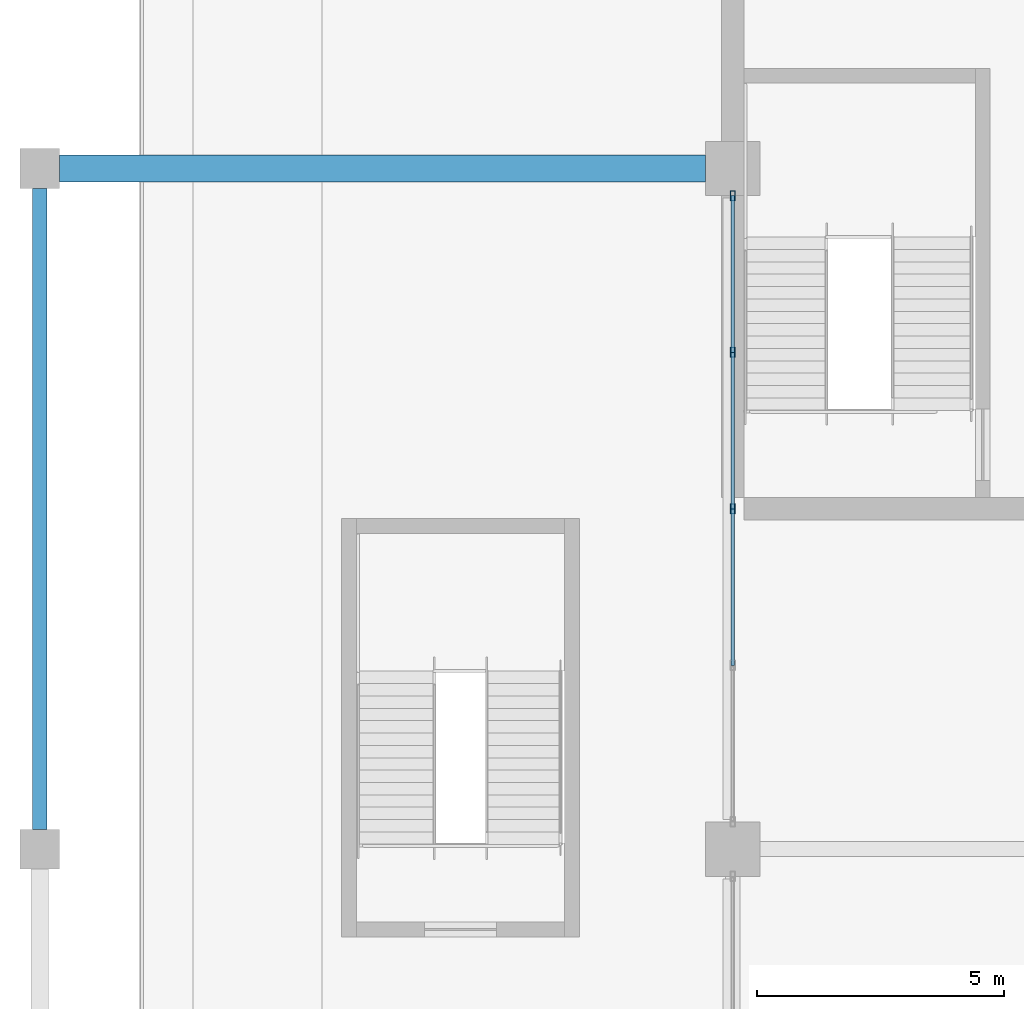
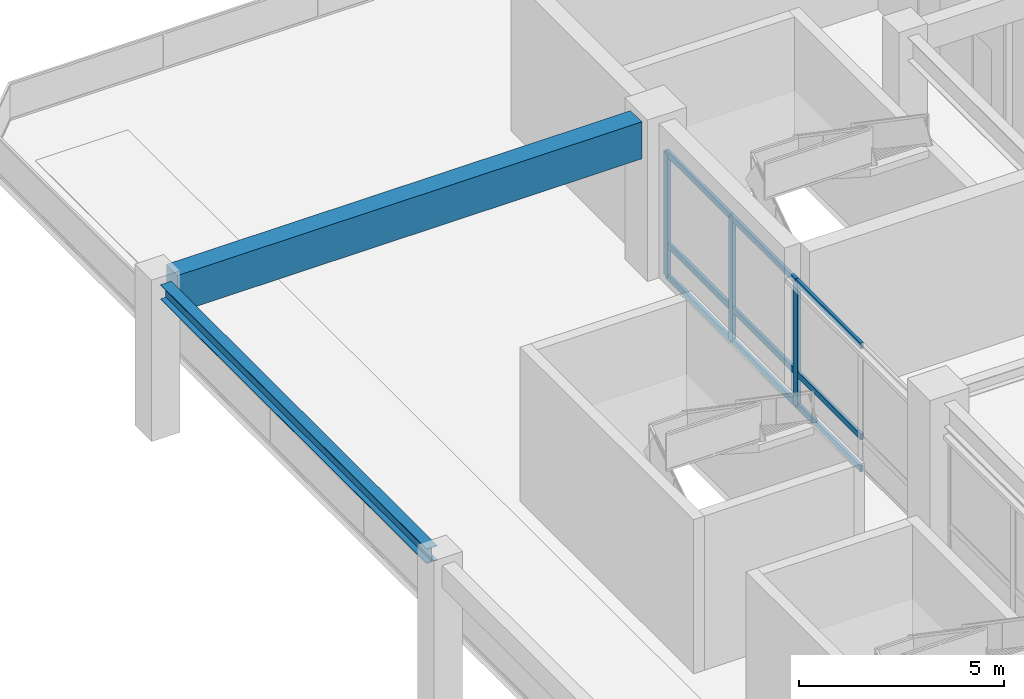
# One storey, part 41 of 91: 12 members, 2 beams, 1 element without a shape of its own.
"""IFC4 building model written with IfcOpenShell, lengths in metres."""

from ifc_helpers import new_model, si_unit, direction, frame, origin, origin_2d, place, context, subcontext, project, spatial, rectangle, hollow_rectangle, i_section, extrude, material, material_profile, profile_set, type_object, element, aggregate, save


model = new_model("IFC4")

# Units and contexts
model_context = context("Model", 3, precision=1e-05, world=origin(), true_north=direction((0.0, 1.0)))
body_context = subcontext(model_context, "Body", "Model", "MODEL_VIEW")
ifc_project = project(units=[si_unit("LENGTHUNIT", "METRE"), si_unit("AREAUNIT", "SQUARE_METRE"), si_unit("VOLUMEUNIT", "CUBIC_METRE"), si_unit("PLANEANGLEUNIT", "RADIAN"), si_unit("MASSUNIT", "GRAM", prefix="KILO")], contexts=[model_context])

# Site, building, storey
site_placement = place(None, origin())
site = spatial("IfcSite", under=ifc_project, at=site_placement, CompositionType="ELEMENT")
building_placement = place(site_placement, origin())
building = spatial("IfcBuilding", under=site, at=building_placement, Name="Linyun Crest Stadium", CompositionType="ELEMENT")
storey_placement = place(building_placement, frame((0.0, 0.0, 11.39990234375)))
storey = spatial("IfcBuildingStorey", under=building, at=storey_placement, Name="L03", CompositionType="ELEMENT", Elevation=11.39990234375)

# Beam
ifc_material_1 = material(Name="Steel Q355C", Category="steel")
ifc_material_profile_1 = material_profile(ifc_material_1, i_section(OverallWidth=0.300048828125, OverallDepth=0.43994140625, WebThickness=0.010986328125, FlangeThickness=0.01806640625, at=origin_2d()), Name="HM 440x300")
ifc_profile_set_1 = profile_set([ifc_material_profile_1], Name="Steel Q355C")
beam_type_1 = type_object("IfcBeamType", Name="B07", PredefinedType="BEAM", material=ifc_profile_set_1)
beam_1_placement = place(storey_placement, frame((-98.0, 30.02490234375, 4.360107421875), z_axis=(0.0, 1.0, 0.0), x_axis=(-1.0, 0.0, 0.0)))
element("IfcBeam", 1, at=beam_1_placement, inside=storey, type_object=beam_type_1, Name="Frame beam B07 L03 269", PredefinedType="BEAM", context=body_context, shape_type="SweptSolid", body=[
    extrude(i_section(OverallWidth=0.300048828125, OverallDepth=0.43994140625, WebThickness=0.010986328125, FlangeThickness=0.01806640625, at=origin_2d()), origin(), (0.0, 0.0, 1.0), 12.9501953125),
])

# Curtain wall, members
ifc_material_2 = material(Name="Verdigris steel and low-E curtain wall assembly", Category="steel")
curtain_wall_type = type_object("IfcCurtainWallType", Name="MCW02", PredefinedType="NOTDEFINED", material=ifc_material_2)
curtain_wall_placement = place(storey_placement, origin())
curtain_wall = element("IfcCurtainWall", 2, at=curtain_wall_placement, inside=storey, type_object=curtain_wall_type, Name="CWR-119", PredefinedType="NOTDEFINED")
ifc_material_3 = material(Name="Verdigris painted steel Q355C mullion", Category="steel")
ifc_material_profile_2 = material_profile(ifc_material_3, hollow_rectangle(XDim=0.10009765625, YDim=0.199951171875, WallThickness=0.008056640625, at=origin_2d()), Name="RHS 200x100x8")
ifc_profile_set_2 = profile_set([ifc_material_profile_2], Name="Verdigris painted steel Q355C mullion")
member_type_1 = type_object("IfcMemberType", Name="ML03", PredefinedType="MULLION", material=ifc_profile_set_2)
member_1_placement = place(storey_placement, frame((-84.0, 36.5, 0.0), z_axis=(0.0, 0.0, 1.0), x_axis=(-1.0, 0.0, 0.0)))
member_1 = element("IfcMember", 3, at=member_1_placement, type_object=member_type_1, Name="CWR-119 mullion 3", PredefinedType="MULLION", context=body_context, shape_type="SweptSolid", body=[
    extrude(hollow_rectangle(XDim=0.10009765625, YDim=0.199951171875, WallThickness=0.008056640625, at=origin_2d()), origin(), (0.0, 0.0, 1.0), 3.650146484375),
])
member_2_placement = place(storey_placement, frame((-84.0, 39.662109375, 0.0), z_axis=(0.0, 0.0, 1.0), x_axis=(-1.0, 0.0, 0.0)))
member_2 = element("IfcMember", 4, at=member_2_placement, type_object=member_type_1, Name="CWR-119 mullion 4", PredefinedType="MULLION", context=body_context, shape_type="SweptSolid", body=[
    extrude(hollow_rectangle(XDim=0.10009765625, YDim=0.199951171875, WallThickness=0.008056640625, at=origin_2d()), origin(), (0.0, 0.0, 1.0), 3.650146484375),
])
member_3_placement = place(storey_placement, frame((-84.0, 42.824951171875, 0.0), z_axis=(0.0, 0.0, 1.0), x_axis=(-1.0, 0.0, 0.0)))
member_3 = element("IfcMember", 5, at=member_3_placement, type_object=member_type_1, Name="CWR-119 mullion 5", PredefinedType="MULLION", context=body_context, shape_type="SweptSolid", body=[
    extrude(hollow_rectangle(XDim=0.10009765625, YDim=0.199951171875, WallThickness=0.008056640625, at=origin_2d()), origin(), (0.0, 0.0, 1.0), 3.650146484375),
])

# Beam
ifc_material_4 = material(Name="Concrete C50", Category="concrete")
ifc_material_profile_3 = material_profile(ifc_material_4, rectangle(XDim=0.550048828125, YDim=1.10009765625, at=origin_2d()), Name="RCB 1100x550")
ifc_profile_set_3 = profile_set([ifc_material_profile_3], Name="Concrete C50")
beam_type_2 = type_object("IfcBeamType", Name="TB01", PredefinedType="USERDEFINED", material=ifc_profile_set_3)
beam_2_placement = place(storey_placement, frame((-97.60009765625, 43.375, 4.030029296875), z_axis=(1.0, 0.0, 0.0), x_axis=(0.0, 1.0, 0.0)))
element("IfcBeam", 6, at=beam_2_placement, inside=storey, type_object=beam_type_2, Name="Frame beam TB01 L03 252", ObjectType="GIRDER", PredefinedType="USERDEFINED", context=body_context, shape_type="SweptSolid", body=[
    extrude(rectangle(XDim=0.550048828125, YDim=1.10009765625, at=origin_2d()), origin(), (0.0, 0.0, 1.0), 13.050048828125),
])

# Member
ifc_material_5 = material(Name="Verdigris painted steel Q355B transom", Category="steel")
ifc_material_profile_4 = material_profile(ifc_material_5, hollow_rectangle(XDim=0.080078125, YDim=0.179931640625, WallThickness=0.006103515625, at=origin_2d()), Name="RHS 180x80x6")
ifc_profile_set_4 = profile_set([ifc_material_profile_4], Name="Verdigris painted steel Q355B transom")
member_type_2 = type_object("IfcMemberType", Name="TR02", PredefinedType="USERDEFINED", material=ifc_profile_set_4)
member_4_placement = place(storey_placement, frame((-84.0, 33.337890625, 0.0), z_axis=(0.0, 1.0, 0.0), x_axis=(-1.0, 0.0, 0.0)))
member_4 = element("IfcMember", 7, at=member_4_placement, type_object=member_type_2, Name="CWR-119 transom 2.1", ObjectType="TRANSOM", PredefinedType="USERDEFINED", context=body_context, shape_type="SweptSolid", body=[
    extrude(hollow_rectangle(XDim=0.080078125, YDim=0.179931640625, WallThickness=0.006103515625, at=origin_2d()), origin(), (0.0, 0.0, 1.0), 3.162109375),
])

member_5_placement = place(storey_placement, frame((-84.0, 33.337890625, 0.9501953125), z_axis=(0.0, 1.0, 0.0), x_axis=(-1.0, 0.0, 0.0)))
member_5 = element("IfcMember", 8, at=member_5_placement, type_object=member_type_2, Name="CWR-119 transom 2.2", ObjectType="TRANSOM", PredefinedType="USERDEFINED", context=body_context, shape_type="SweptSolid", body=[
    extrude(hollow_rectangle(XDim=0.080078125, YDim=0.179931640625, WallThickness=0.006103515625, at=origin_2d()), origin(), (0.0, 0.0, 1.0), 3.162109375),
])

member_6_placement = place(storey_placement, frame((-84.0, 33.337890625, 3.650146484375), z_axis=(0.0, 1.0, 0.0), x_axis=(-1.0, 0.0, 0.0)))
member_6 = element("IfcMember", 9, at=member_6_placement, type_object=member_type_2, Name="CWR-119 transom 2.3", ObjectType="TRANSOM", PredefinedType="USERDEFINED", context=body_context, shape_type="SweptSolid", body=[
    extrude(hollow_rectangle(XDim=0.080078125, YDim=0.179931640625, WallThickness=0.006103515625, at=origin_2d()), origin(), (0.0, 0.0, 1.0), 3.162109375),
])

member_7_placement = place(storey_placement, frame((-84.0, 36.5, 0.0), z_axis=(0.0, 1.0, 0.0), x_axis=(-1.0, 0.0, 0.0)))
member_7 = element("IfcMember", 10, at=member_7_placement, type_object=member_type_2, Name="CWR-119 transom 3.1", ObjectType="TRANSOM", PredefinedType="USERDEFINED", context=body_context, shape_type="SweptSolid", body=[
    extrude(hollow_rectangle(XDim=0.080078125, YDim=0.179931640625, WallThickness=0.006103515625, at=origin_2d()), origin(), (0.0, 0.0, 1.0), 3.162109375),
])

member_8_placement = place(storey_placement, frame((-84.0, 36.5, 0.9501953125), z_axis=(0.0, 1.0, 0.0), x_axis=(-1.0, 0.0, 0.0)))
member_8 = element("IfcMember", 11, at=member_8_placement, type_object=member_type_2, Name="CWR-119 transom 3.2", ObjectType="TRANSOM", PredefinedType="USERDEFINED", context=body_context, shape_type="SweptSolid", body=[
    extrude(hollow_rectangle(XDim=0.080078125, YDim=0.179931640625, WallThickness=0.006103515625, at=origin_2d()), origin(), (0.0, 0.0, 1.0), 3.162109375),
])

member_9_placement = place(storey_placement, frame((-84.0, 36.5, 3.650146484375), z_axis=(0.0, 1.0, 0.0), x_axis=(-1.0, 0.0, 0.0)))
member_9 = element("IfcMember", 12, at=member_9_placement, type_object=member_type_2, Name="CWR-119 transom 3.3", ObjectType="TRANSOM", PredefinedType="USERDEFINED", context=body_context, shape_type="SweptSolid", body=[
    extrude(hollow_rectangle(XDim=0.080078125, YDim=0.179931640625, WallThickness=0.006103515625, at=origin_2d()), origin(), (0.0, 0.0, 1.0), 3.162109375),
])

member_10_placement = place(storey_placement, frame((-84.0, 39.662109375, 0.0), z_axis=(0.0, 1.0, 0.0), x_axis=(-1.0, 0.0, 0.0)))
member_10 = element("IfcMember", 13, at=member_10_placement, type_object=member_type_2, Name="CWR-119 transom 4.1", ObjectType="TRANSOM", PredefinedType="USERDEFINED", context=body_context, shape_type="SweptSolid", body=[
    extrude(hollow_rectangle(XDim=0.080078125, YDim=0.179931640625, WallThickness=0.006103515625, at=origin_2d()), origin(), (0.0, 0.0, 1.0), 3.162841796875),
])

member_11_placement = place(storey_placement, frame((-84.0, 39.662109375, 0.9501953125), z_axis=(0.0, 1.0, 0.0), x_axis=(-1.0, 0.0, 0.0)))
member_11 = element("IfcMember", 14, at=member_11_placement, type_object=member_type_2, Name="CWR-119 transom 4.2", ObjectType="TRANSOM", PredefinedType="USERDEFINED", context=body_context, shape_type="SweptSolid", body=[
    extrude(hollow_rectangle(XDim=0.080078125, YDim=0.179931640625, WallThickness=0.006103515625, at=origin_2d()), origin(), (0.0, 0.0, 1.0), 3.162841796875),
])

member_12_placement = place(storey_placement, frame((-84.0, 39.662109375, 3.650146484375), z_axis=(0.0, 1.0, 0.0), x_axis=(-1.0, 0.0, 0.0)))
member_12 = element("IfcMember", 15, at=member_12_placement, type_object=member_type_2, Name="CWR-119 transom 4.3", ObjectType="TRANSOM", PredefinedType="USERDEFINED", context=body_context, shape_type="SweptSolid", body=[
    extrude(hollow_rectangle(XDim=0.080078125, YDim=0.179931640625, WallThickness=0.006103515625, at=origin_2d()), origin(), (0.0, 0.0, 1.0), 3.162841796875),
])

aggregate(curtain_wall, [member_1, member_2, member_3, member_4, member_5, member_6, member_7, member_8, member_9, member_10, member_11, member_12])

save(model, "model.ifc")
